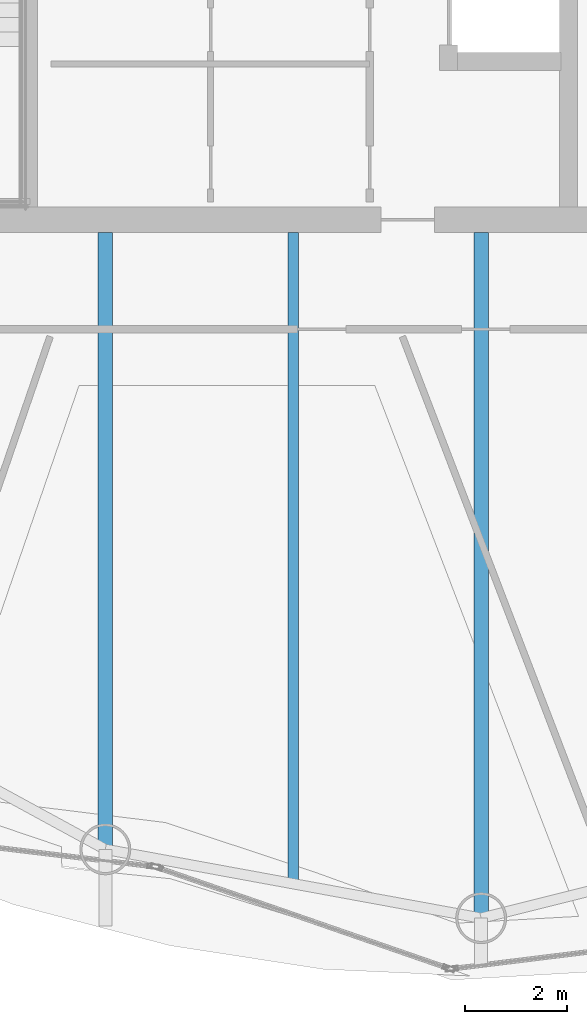
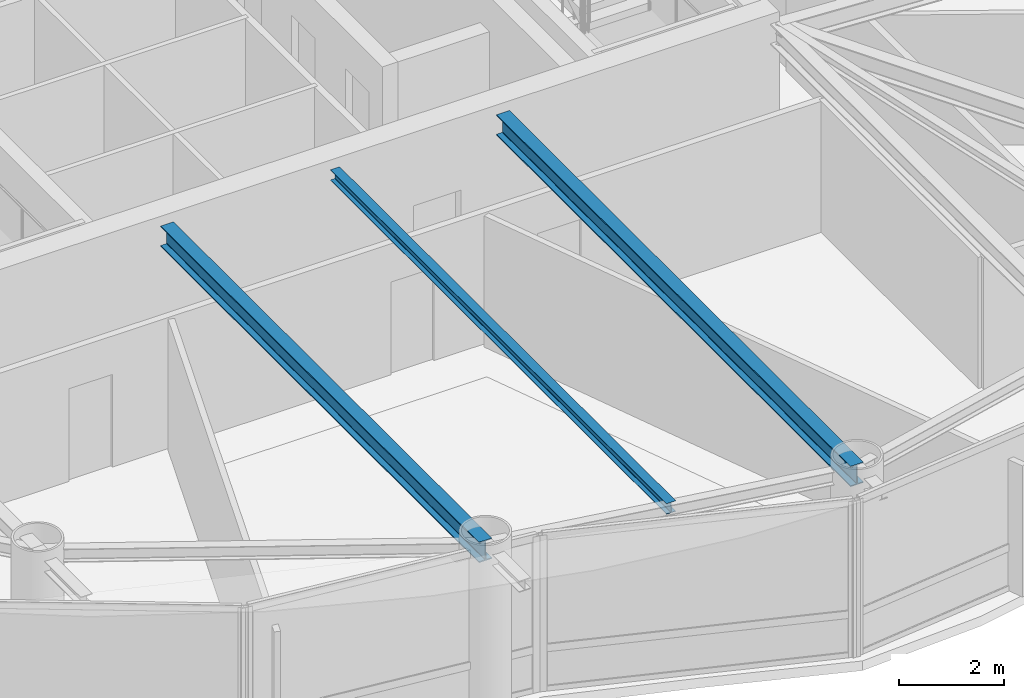
# One storey, part 5 of 21: 3 beams.
"""IFC4 building model written with IfcOpenShell, lengths in metres."""

import ifcopenshell
import ifcopenshell.guid

model = None  # the IFC model being written
_history = None  # IfcOwnerHistory: only IFC2X3 demands one
_inside = {}  # id of a spatial element -> (the spatial element, [elements in it])
_under = {}  # id of a project, library or spatial element -> (it, [spatial elements below it])
_declared = {}  # id of a project -> (the project, [libraries it declares])
_typed = {}  # id of a type object -> (the type object, [elements of that type])
_made_of = {}  # id of a material, layer set ... -> (it, [elements and type objects made of it])


def new_model(schema):
    """Start an empty IFC model of exactly this schema.

    Asked for "IFC4X3", IfcOpenShell would pick the latest addendum, in which some entities
    have other attributes; the version numbers below select the first issue.
    IFC2X3 requires an IfcOwnerHistory on every rooted entity: one is made here for all.
    """
    global model, _history
    if schema == "IFC4X3":
        model = ifcopenshell.file(schema_version=(4, 3, 0, 0))
    else:
        model = ifcopenshell.file(schema=schema)
    _inside.clear()
    _under.clear()
    _declared.clear()
    _typed.clear()
    _made_of.clear()
    _history = None
    if model.schema == "IFC2X3":
        org = make("IfcOrganization", Name="unknown")
        user = make(
            "IfcPersonAndOrganization",
            ThePerson=make("IfcPerson", FamilyName="unknown"),
            TheOrganization=org,
        )
        app = make(
            "IfcApplication",
            ApplicationDeveloper=org,
            Version="unknown",
            ApplicationFullName="unknown",
            ApplicationIdentifier="unknown",
        )
        _history = make(
            "IfcOwnerHistory",
            OwningUser=user,
            OwningApplication=app,
            ChangeAction="ADDED",
            CreationDate=0,
        )
    return model


def make(cls, **values):
    """One entity of the class cls with the attributes given. An attribute that is None is left unset."""
    return model.create_entity(
        cls, **{name: value for name, value in values.items() if value is not None}
    )


def rooted(cls, **values):
    """An entity with a GlobalId (a new one), such as an element, a storey or a relation."""
    return make(cls, GlobalId=ifcopenshell.guid.new(), OwnerHistory=_history, **values)


def si_unit(unit_type, name, prefix=None):
    """IfcSIUnit, for example si_unit("LENGTHUNIT", "METRE", prefix="MILLI")."""
    return make("IfcSIUnit", UnitType=unit_type, Prefix=prefix, Name=name)


def assignment(units):
    """IfcUnitAssignment: the units of a project."""
    return None if units is None else make("IfcUnitAssignment", Units=units)


def point(xyz):
    """IfcCartesianPoint."""
    return None if xyz is None else make("IfcCartesianPoint", Coordinates=xyz)


def direction(xyz):
    """IfcDirection."""
    return None if xyz is None else make("IfcDirection", DirectionRatios=xyz)


def frame(location, z_axis=None, x_axis=None):
    """IfcAxis2Placement3D, a coordinate frame: its origin and axes. An axis left out is left unset."""
    return make(
        "IfcAxis2Placement3D",
        Location=point(location),
        Axis=direction(z_axis),
        RefDirection=direction(x_axis),
    )


def frame_2d(location, x_axis=None):
    """IfcAxis2Placement2D, a coordinate frame in the plane: its origin and x axis."""
    return make(
        "IfcAxis2Placement2D", Location=point(location), RefDirection=direction(x_axis)
    )


def origin():
    """The frame at (0, 0, 0) with its axes left unset."""
    return frame((0.0, 0.0, 0.0))


def origin_2d():
    """The frame at (0, 0) in the plane with its x axis left unset."""
    return frame_2d((0.0, 0.0))


def place(relative_to, where):
    """IfcLocalPlacement: puts the frame where relative to a parent placement (None: the world)."""
    return make(
        "IfcLocalPlacement", PlacementRelTo=relative_to, RelativePlacement=where
    )


def context(
    kind, dimensions, precision=None, world=None, true_north=None, identifier=None
):
    """IfcGeometricRepresentationContext, for example the 3D "Model" context."""
    return make(
        "IfcGeometricRepresentationContext",
        ContextIdentifier=identifier,
        ContextType=kind,
        CoordinateSpaceDimension=dimensions,
        Precision=precision,
        WorldCoordinateSystem=world,
        TrueNorth=true_north,
    )


def subcontext(parent, identifier, kind, view, scale=None):
    """IfcGeometricRepresentationSubContext, for example "Body" below "Model"."""
    return make(
        "IfcGeometricRepresentationSubContext",
        ContextIdentifier=identifier,
        ContextType=kind,
        ParentContext=parent,
        TargetScale=scale,
        TargetView=view,
    )


def project(units=None, contexts=None):
    """IfcProject with its units and contexts."""
    return rooted(
        "IfcProject",
        Name="project",
        RepresentationContexts=contexts,
        UnitsInContext=assignment(units),
    )


def spatial(cls, under=None, at=None, **own):
    """A site, building, storey or space (cls), placed at a placement, below another one or the project."""
    s = rooted(cls, ObjectPlacement=at, **own)
    if under is not None:
        _under.setdefault(under.id(), (under, []))[1].append(s)
    return s


def profile(cls, at=None, kind="AREA", **sizes):
    """A parametric profile (cls). Its sizes go by their IFC names, for example OverallWidth=200.0."""
    return make(cls, ProfileType=kind, Position=at, **sizes)


def i_section(**sizes):
    """IfcIShapeProfileDef."""
    return profile("IfcIShapeProfileDef", **sizes)


def extrude(swept, where, along, depth):
    """IfcExtrudedAreaSolid: the profile swept, set in the frame where, extruded along a direction by depth."""
    return make(
        "IfcExtrudedAreaSolid",
        SweptArea=swept,
        Position=where,
        ExtrudedDirection=direction(along),
        Depth=depth,
    )


def shape(context_of_items, identifier, shape_type, items):
    """IfcShapeRepresentation: the items that make up one representation, for example the "Body"."""
    return make(
        "IfcShapeRepresentation",
        ContextOfItems=context_of_items,
        RepresentationIdentifier=identifier,
        RepresentationType=shape_type,
        Items=items,
    )


def material(Name=None, Category=None):
    """IfcMaterial."""
    return make("IfcMaterial", Name=Name, Category=Category)


def material_profile(
    of_material, cross_section, Name=None, Category=None, Priority=None
):
    """IfcMaterialProfile: a cross section and its material."""
    return make(
        "IfcMaterialProfile",
        Name=Name,
        Material=of_material,
        Profile=cross_section,
        Priority=Priority,
        Category=Category,
    )


def profile_set(profiles, Name=None, composite=None):
    """IfcMaterialProfileSet."""
    return make(
        "IfcMaterialProfileSet",
        Name=Name,
        MaterialProfiles=profiles,
        CompositeProfile=composite,
    )


def made_of(thing, what):
    """Note that an element or type object is made of a material, layer set ...; save() writes the relation."""
    if what is not None:
        _made_of.setdefault(what.id(), (what, []))[1].append(thing)
    return thing


def type_object(cls, material=None, **own):
    """A type object (cls), such as IfcWallType, which elements share."""
    return made_of(rooted(cls, **own), material)


def element(
    cls,
    number,
    at=None,
    inside=None,
    cuts=None,
    type_object=None,
    material=None,
    context=None,
    identifier="Body",
    shape_type=None,
    held_by="IfcProductDefinitionShape",
    body=None,
    shapes=None,
    **own,
):
    """One element of the class cls, such as IfcWall. Its Tag is "e" and its number.

    at: its placement. inside: the storey or other place that contains it. cuts: it is an
    opening in that element (IfcRelVoidsElement). A single representation is given by context,
    identifier, shape_type and body (its items); several are given by shapes. held_by: the class
    of the entity that holds the representations. save() writes the other relations.
    """
    e = rooted(cls, Tag="e%d" % number, ObjectPlacement=at, **own)
    if body is not None:
        shapes = [shape(context, identifier, shape_type, body)]
    if shapes is not None:
        e.Representation = make(held_by, Representations=shapes)
    if inside is not None:
        _inside.setdefault(inside.id(), (inside, []))[1].append(e)
    if cuts is not None:
        rooted(
            "IfcRelVoidsElement", RelatingBuildingElement=cuts, RelatedOpeningElement=e
        )
    if type_object is not None:
        _typed.setdefault(type_object.id(), (type_object, []))[1].append(e)
    return made_of(e, material)


def aggregate(whole, parts):
    """IfcRelAggregates: a whole, such as a stair, and the parts it consists of."""
    return rooted("IfcRelAggregates", RelatingObject=whole, RelatedObjects=parts)


def save(model, path):
    """Write the relations noted so far, then the file.

    IfcRelAggregates (storeys below a building ...), IfcRelContainedInSpatialStructure (elements
    in a storey), IfcRelDefinesByType, IfcRelAssociatesMaterial and IfcRelDeclares: one each for
    every whole, place, type object, material and project.
    """
    for whole, parts in _under.values():
        aggregate(whole, parts)
    for where, things in _inside.values():
        rooted(
            "IfcRelContainedInSpatialStructure",
            RelatedElements=things,
            RelatingStructure=where,
        )
    for kind, things in _typed.values():
        rooted("IfcRelDefinesByType", RelatedObjects=things, RelatingType=kind)
    for what, things in _made_of.values():
        rooted("IfcRelAssociatesMaterial", RelatedObjects=things, RelatingMaterial=what)
    for by, libraries in _declared.values():
        rooted("IfcRelDeclares", RelatingContext=by, RelatedDefinitions=libraries)
    model.write(path)


model = new_model("IFC4")

# Units and contexts
model_context = context("Model", 3, precision=1e-05, world=origin(), true_north=direction((0.0, 1.0)))
body_context = subcontext(model_context, "Body", "Model", "MODEL_VIEW")
ifc_project = project(units=[si_unit("LENGTHUNIT", "METRE"), si_unit("AREAUNIT", "SQUARE_METRE"), si_unit("VOLUMEUNIT", "CUBIC_METRE"), si_unit("PLANEANGLEUNIT", "RADIAN"), si_unit("MASSUNIT", "GRAM", prefix="KILO")], contexts=[model_context])

# Site, building, storey
site_placement = place(None, origin())
site = spatial("IfcSite", under=ifc_project, at=site_placement, CompositionType="ELEMENT")
building_placement = place(site_placement, origin())
building = spatial("IfcBuilding", under=site, at=building_placement, Name="Bramvorn Convention Spire", CompositionType="ELEMENT")
storey_placement = place(building_placement, frame((0.0, 0.0, 249.75)))
storey = spatial("IfcBuildingStorey", under=building, at=storey_placement, Name="L63", CompositionType="ELEMENT", Elevation=249.75)

# Beams
ifc_material = material(Name="Steel CSA G40.21 Grade 350 (350W)", Category="steel")
ifc_material_profile_1 = material_profile(ifc_material, i_section(OverallWidth=0.201904296875, OverallDepth=0.2470703125, WebThickness=0.00732421875, FlangeThickness=0.010986328125, FilletRadius=0.011962890625, at=origin_2d()))
ifc_profile_set_1 = profile_set([ifc_material_profile_1], Name="Steel CSA G40.21 Grade 350 (350W) - W250X49")
beam_type_1 = type_object("IfcBeamType", Name="BM-W250X49", PredefinedType="JOIST", material=ifc_profile_set_1)
beam_1_placement = place(storey_placement, frame((39.501953125, 18.550048828125, 3.50146484375), z_axis=(0.0, -1.0, 0.0), x_axis=(1.0, 0.0, 0.0)))
element("IfcBeam", 1, at=beam_1_placement, inside=storey, type_object=beam_type_1, Name="L63 composite floor joist 15", PredefinedType="JOIST", context=body_context, shape_type="SweptSolid", body=[
    extrude(i_section(OverallWidth=0.201904296875, OverallDepth=0.2470703125, WebThickness=0.00732421875, FlangeThickness=0.010986328125, FilletRadius=0.011962890625, at=origin_2d()), origin(), (0.0, 0.0, 1.0), 12.77587890625),
])
ifc_material_profile_2 = material_profile(ifc_material, i_section(OverallWidth=0.283935546875, OverallDepth=0.47607421875, WebThickness=0.014892578125, FlangeThickness=0.02392578125, FilletRadius=0.01806640625, at=origin_2d()))
ifc_profile_set_2 = profile_set([ifc_material_profile_2], Name="Steel CSA G40.21 Grade 350 (350W) - W460X158")
beam_type_2 = type_object("IfcBeamType", Name="BM-W460X158", PredefinedType="SPANDREL", material=ifc_profile_set_2)
beam_2_placement = place(storey_placement, frame((35.8154296875, 18.550048828125, 3.386962890625), z_axis=(0.0, -1.0, 0.0), x_axis=(1.0, 0.0, 0.0)))
element("IfcBeam", 2, at=beam_2_placement, inside=storey, type_object=beam_type_2, Name="L63 radial floor girder MC15", PredefinedType="SPANDREL", context=body_context, shape_type="SweptSolid", body=[
    extrude(i_section(OverallWidth=0.283935546875, OverallDepth=0.47607421875, WebThickness=0.014892578125, FlangeThickness=0.02392578125, FilletRadius=0.01806640625, at=origin_2d()), origin(), (0.0, 0.0, 1.0), 12.100830078125),
])
beam_3_placement = place(storey_placement, frame((43.1884765625, 18.550048828125, 3.386962890625), z_axis=(0.0, -1.0, 0.0), x_axis=(1.0, 0.0, 0.0)))
element("IfcBeam", 3, at=beam_3_placement, inside=storey, type_object=beam_type_2, Name="L63 radial floor girder MC16", PredefinedType="SPANDREL", context=body_context, shape_type="SweptSolid", body=[
    extrude(i_section(OverallWidth=0.283935546875, OverallDepth=0.47607421875, WebThickness=0.014892578125, FlangeThickness=0.02392578125, FilletRadius=0.01806640625, at=origin_2d()), origin(), (0.0, 0.0, 1.0), 13.450927734375),
])

save(model, "model.ifc")
